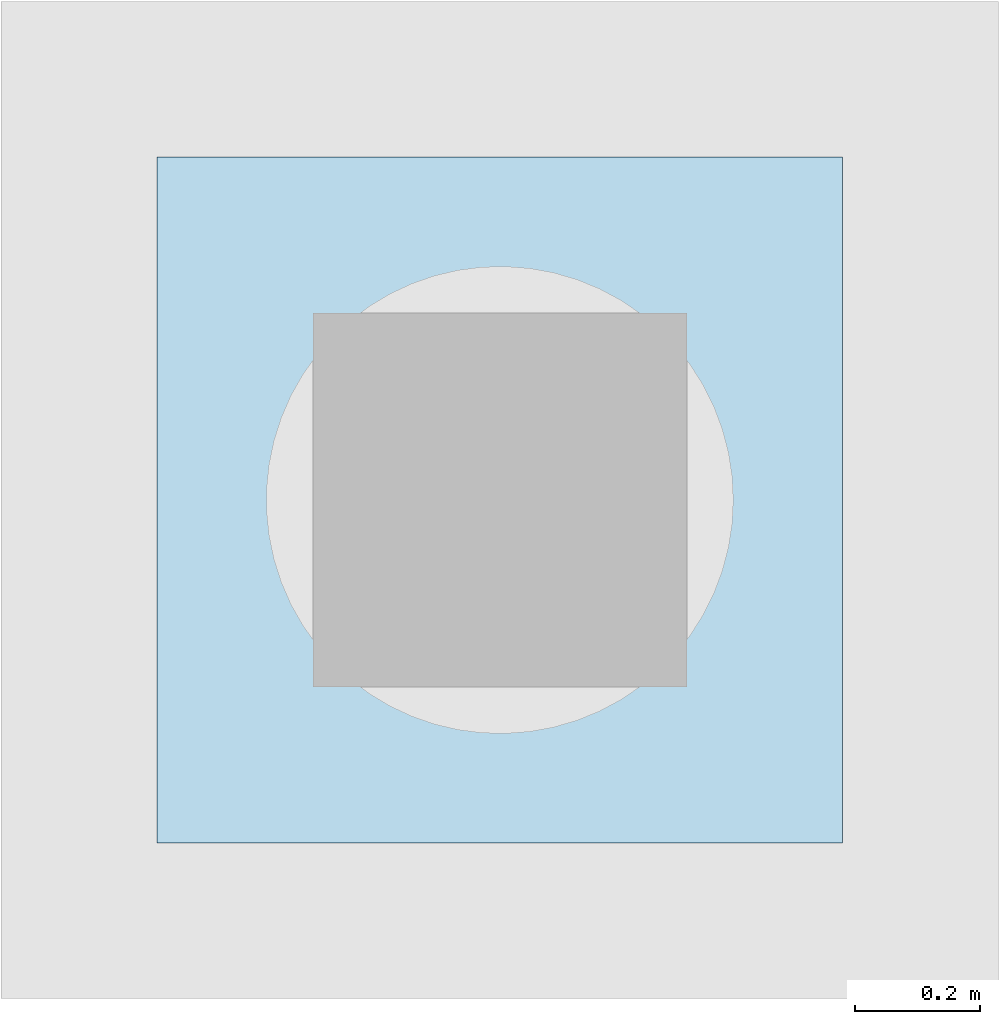
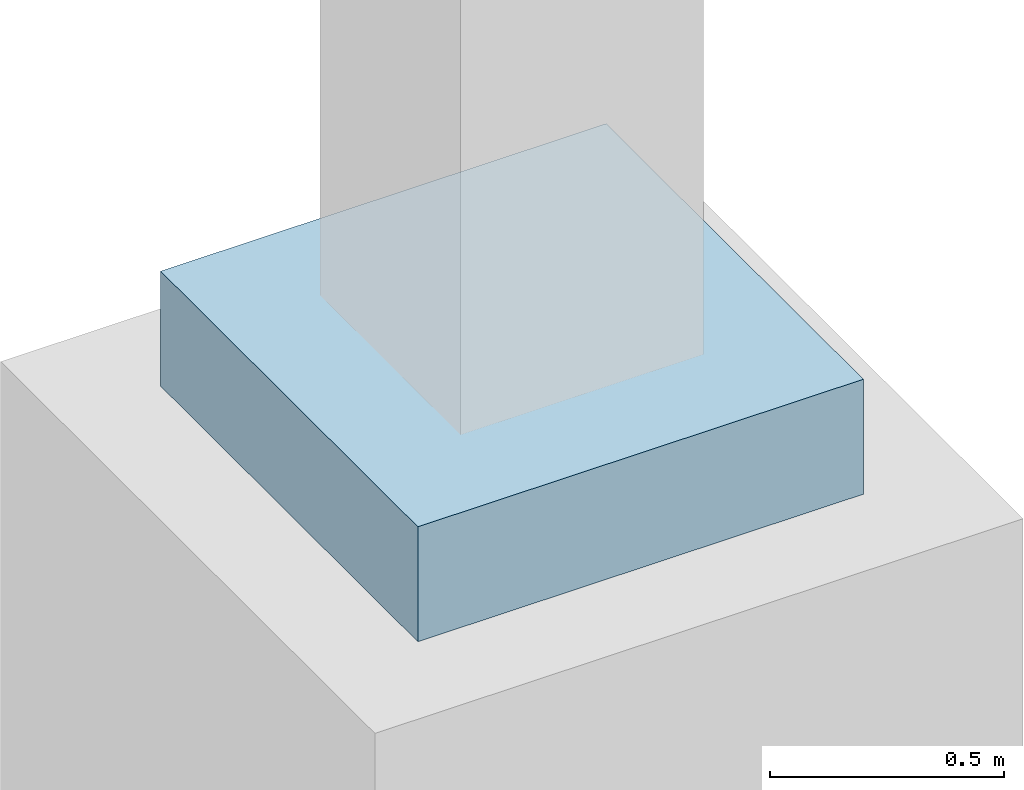
# One storey, part 51 of 111: 1 slab.
"""IFC4 building model written with IfcOpenShell, lengths in metres."""

from ifc_helpers import new_model, si_unit, direction, frame, origin, place, context, subcontext, project, spatial, polyline, outline, extrude, material, layer, layer_set, type_object, element, save


model = new_model("IFC4")

# Units and contexts
model_context = context("Model", 3, precision=1e-05, world=origin(), true_north=direction((0.0, 1.0)))
body_context = subcontext(model_context, "Body", "Model", "MODEL_VIEW")
ifc_project = project(units=[si_unit("LENGTHUNIT", "METRE"), si_unit("AREAUNIT", "SQUARE_METRE"), si_unit("VOLUMEUNIT", "CUBIC_METRE"), si_unit("PLANEANGLEUNIT", "RADIAN"), si_unit("MASSUNIT", "GRAM", prefix="KILO")], contexts=[model_context])

# Site, building, storey
site_placement = place(None, origin())
site = spatial("IfcSite", under=ifc_project, at=site_placement, CompositionType="ELEMENT")
building_placement = place(site_placement, origin())
building = spatial("IfcBuilding", under=site, at=building_placement, Name="Dunescarp Central Library", CompositionType="ELEMENT")
storey_placement = place(building_placement, origin())
storey = spatial("IfcBuildingStorey", under=building, at=storey_placement, Name="L00", CompositionType="ELEMENT", Elevation=0.0)

# Slab
ifc_material = material(Name="Concrete C35/45", Category="concrete")
ifc_layer = layer(ifc_material, 0.300048828125)
ifc_layer_set = layer_set([ifc_layer], Name="Concrete C35/45")
slab_type = type_object("IfcSlabType", Name="STR-SLB-BASE300", PredefinedType="BASESLAB", material=ifc_layer_set)
slab_placement = place(storey_placement, frame((0.0, 0.0, -0.300048828125)))
element("IfcSlab", 1, at=slab_placement, inside=storey, type_object=slab_type, Name="Exterior terrace post plinth TPAD-04", PredefinedType="BASESLAB", context=body_context, shape_type="SweptSolid", body=[
    extrude(outline(polyline([(157.85009765625, 47.449951171875), (158.949951171875, 47.449951171875), (158.949951171875, 48.550048828125), (157.85009765625, 48.550048828125), (157.85009765625, 47.449951171875)])), origin(), (0.0, 0.0, 1.0), 0.300048828125),
])

save(model, "model.ifc")
